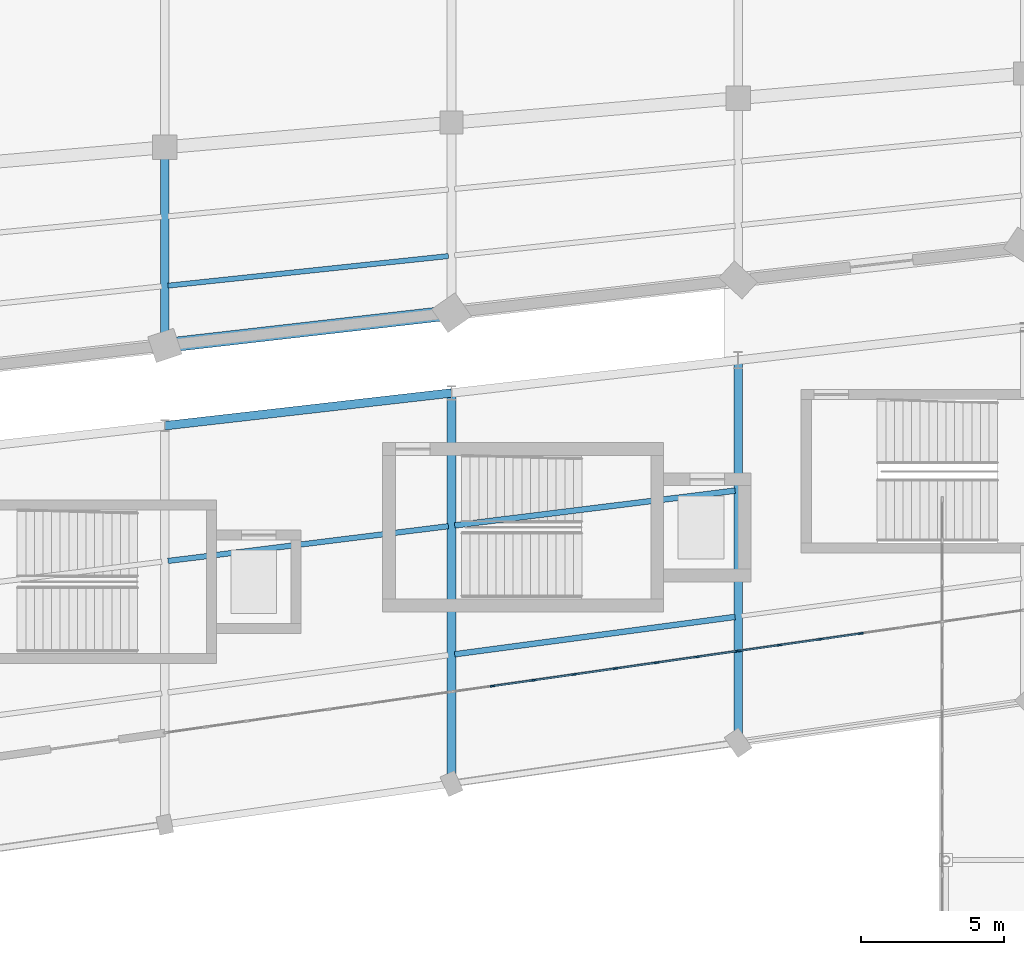
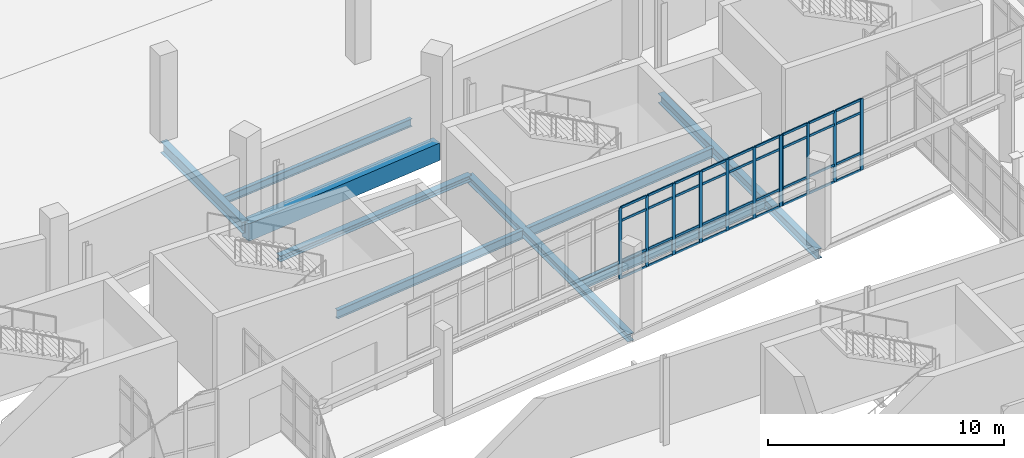
# One storey, part 44 of 122: 47 members, 9 beams, 2 elements without a shape of their own.
"""IFC4 building model written with IfcOpenShell, lengths in metres."""

import ifcopenshell
import ifcopenshell.guid

model = None  # the IFC model being written
_history = None  # IfcOwnerHistory: only IFC2X3 demands one
_inside = {}  # id of a spatial element -> (the spatial element, [elements in it])
_under = {}  # id of a project, library or spatial element -> (it, [spatial elements below it])
_declared = {}  # id of a project -> (the project, [libraries it declares])
_typed = {}  # id of a type object -> (the type object, [elements of that type])
_made_of = {}  # id of a material, layer set ... -> (it, [elements and type objects made of it])


def new_model(schema):
    """Start an empty IFC model of exactly this schema.

    Asked for "IFC4X3", IfcOpenShell would pick the latest addendum, in which some entities
    have other attributes; the version numbers below select the first issue.
    IFC2X3 requires an IfcOwnerHistory on every rooted entity: one is made here for all.
    """
    global model, _history
    if schema == "IFC4X3":
        model = ifcopenshell.file(schema_version=(4, 3, 0, 0))
    else:
        model = ifcopenshell.file(schema=schema)
    _inside.clear()
    _under.clear()
    _declared.clear()
    _typed.clear()
    _made_of.clear()
    _history = None
    if model.schema == "IFC2X3":
        org = make("IfcOrganization", Name="unknown")
        user = make(
            "IfcPersonAndOrganization",
            ThePerson=make("IfcPerson", FamilyName="unknown"),
            TheOrganization=org,
        )
        app = make(
            "IfcApplication",
            ApplicationDeveloper=org,
            Version="unknown",
            ApplicationFullName="unknown",
            ApplicationIdentifier="unknown",
        )
        _history = make(
            "IfcOwnerHistory",
            OwningUser=user,
            OwningApplication=app,
            ChangeAction="ADDED",
            CreationDate=0,
        )
    return model


def make(cls, **values):
    """One entity of the class cls with the attributes given. An attribute that is None is left unset."""
    return model.create_entity(
        cls, **{name: value for name, value in values.items() if value is not None}
    )


def rooted(cls, **values):
    """An entity with a GlobalId (a new one), such as an element, a storey or a relation."""
    return make(cls, GlobalId=ifcopenshell.guid.new(), OwnerHistory=_history, **values)


def si_unit(unit_type, name, prefix=None):
    """IfcSIUnit, for example si_unit("LENGTHUNIT", "METRE", prefix="MILLI")."""
    return make("IfcSIUnit", UnitType=unit_type, Prefix=prefix, Name=name)


def assignment(units):
    """IfcUnitAssignment: the units of a project."""
    return None if units is None else make("IfcUnitAssignment", Units=units)


def point(xyz):
    """IfcCartesianPoint."""
    return None if xyz is None else make("IfcCartesianPoint", Coordinates=xyz)


def direction(xyz):
    """IfcDirection."""
    return None if xyz is None else make("IfcDirection", DirectionRatios=xyz)


def frame(location, z_axis=None, x_axis=None):
    """IfcAxis2Placement3D, a coordinate frame: its origin and axes. An axis left out is left unset."""
    return make(
        "IfcAxis2Placement3D",
        Location=point(location),
        Axis=direction(z_axis),
        RefDirection=direction(x_axis),
    )


def frame_2d(location, x_axis=None):
    """IfcAxis2Placement2D, a coordinate frame in the plane: its origin and x axis."""
    return make(
        "IfcAxis2Placement2D", Location=point(location), RefDirection=direction(x_axis)
    )


def origin():
    """The frame at (0, 0, 0) with its axes left unset."""
    return frame((0.0, 0.0, 0.0))


def origin_2d():
    """The frame at (0, 0) in the plane with its x axis left unset."""
    return frame_2d((0.0, 0.0))


def place(relative_to, where):
    """IfcLocalPlacement: puts the frame where relative to a parent placement (None: the world)."""
    return make(
        "IfcLocalPlacement", PlacementRelTo=relative_to, RelativePlacement=where
    )


def context(
    kind, dimensions, precision=None, world=None, true_north=None, identifier=None
):
    """IfcGeometricRepresentationContext, for example the 3D "Model" context."""
    return make(
        "IfcGeometricRepresentationContext",
        ContextIdentifier=identifier,
        ContextType=kind,
        CoordinateSpaceDimension=dimensions,
        Precision=precision,
        WorldCoordinateSystem=world,
        TrueNorth=true_north,
    )


def subcontext(parent, identifier, kind, view, scale=None):
    """IfcGeometricRepresentationSubContext, for example "Body" below "Model"."""
    return make(
        "IfcGeometricRepresentationSubContext",
        ContextIdentifier=identifier,
        ContextType=kind,
        ParentContext=parent,
        TargetScale=scale,
        TargetView=view,
    )


def project(units=None, contexts=None):
    """IfcProject with its units and contexts."""
    return rooted(
        "IfcProject",
        Name="project",
        RepresentationContexts=contexts,
        UnitsInContext=assignment(units),
    )


def spatial(cls, under=None, at=None, **own):
    """A site, building, storey or space (cls), placed at a placement, below another one or the project."""
    s = rooted(cls, ObjectPlacement=at, **own)
    if under is not None:
        _under.setdefault(under.id(), (under, []))[1].append(s)
    return s


def profile(cls, at=None, kind="AREA", **sizes):
    """A parametric profile (cls). Its sizes go by their IFC names, for example OverallWidth=200.0."""
    return make(cls, ProfileType=kind, Position=at, **sizes)


def rectangle(**sizes):
    """IfcRectangleProfileDef."""
    return profile("IfcRectangleProfileDef", **sizes)


def i_section(**sizes):
    """IfcIShapeProfileDef."""
    return profile("IfcIShapeProfileDef", **sizes)


def extrude(swept, where, along, depth):
    """IfcExtrudedAreaSolid: the profile swept, set in the frame where, extruded along a direction by depth."""
    return make(
        "IfcExtrudedAreaSolid",
        SweptArea=swept,
        Position=where,
        ExtrudedDirection=direction(along),
        Depth=depth,
    )


def shape(context_of_items, identifier, shape_type, items):
    """IfcShapeRepresentation: the items that make up one representation, for example the "Body"."""
    return make(
        "IfcShapeRepresentation",
        ContextOfItems=context_of_items,
        RepresentationIdentifier=identifier,
        RepresentationType=shape_type,
        Items=items,
    )


def material(Name=None, Category=None):
    """IfcMaterial."""
    return make("IfcMaterial", Name=Name, Category=Category)


def layer(
    of_material, thickness, ventilated=None, Name=None, Category=None, Priority=None
):
    """IfcMaterialLayer: one layer of a wall or slab, of a material (None: an air gap)."""
    return make(
        "IfcMaterialLayer",
        Material=of_material,
        LayerThickness=thickness,
        IsVentilated=ventilated,
        Name=Name,
        Category=Category,
        Priority=Priority,
    )


def layer_set(layers, Name=None):
    """IfcMaterialLayerSet."""
    return make("IfcMaterialLayerSet", MaterialLayers=layers, LayerSetName=Name)


def material_profile(
    of_material, cross_section, Name=None, Category=None, Priority=None
):
    """IfcMaterialProfile: a cross section and its material."""
    return make(
        "IfcMaterialProfile",
        Name=Name,
        Material=of_material,
        Profile=cross_section,
        Priority=Priority,
        Category=Category,
    )


def profile_set(profiles, Name=None, composite=None):
    """IfcMaterialProfileSet."""
    return make(
        "IfcMaterialProfileSet",
        Name=Name,
        MaterialProfiles=profiles,
        CompositeProfile=composite,
    )


def made_of(thing, what):
    """Note that an element or type object is made of a material, layer set ...; save() writes the relation."""
    if what is not None:
        _made_of.setdefault(what.id(), (what, []))[1].append(thing)
    return thing


def type_object(cls, material=None, **own):
    """A type object (cls), such as IfcWallType, which elements share."""
    return made_of(rooted(cls, **own), material)


def element(
    cls,
    number,
    at=None,
    inside=None,
    cuts=None,
    type_object=None,
    material=None,
    context=None,
    identifier="Body",
    shape_type=None,
    held_by="IfcProductDefinitionShape",
    body=None,
    shapes=None,
    **own,
):
    """One element of the class cls, such as IfcWall. Its Tag is "e" and its number.

    at: its placement. inside: the storey or other place that contains it. cuts: it is an
    opening in that element (IfcRelVoidsElement). A single representation is given by context,
    identifier, shape_type and body (its items); several are given by shapes. held_by: the class
    of the entity that holds the representations. save() writes the other relations.
    """
    e = rooted(cls, Tag="e%d" % number, ObjectPlacement=at, **own)
    if body is not None:
        shapes = [shape(context, identifier, shape_type, body)]
    if shapes is not None:
        e.Representation = make(held_by, Representations=shapes)
    if inside is not None:
        _inside.setdefault(inside.id(), (inside, []))[1].append(e)
    if cuts is not None:
        rooted(
            "IfcRelVoidsElement", RelatingBuildingElement=cuts, RelatedOpeningElement=e
        )
    if type_object is not None:
        _typed.setdefault(type_object.id(), (type_object, []))[1].append(e)
    return made_of(e, material)


def aggregate(whole, parts):
    """IfcRelAggregates: a whole, such as a stair, and the parts it consists of."""
    return rooted("IfcRelAggregates", RelatingObject=whole, RelatedObjects=parts)


def save(model, path):
    """Write the relations noted so far, then the file.

    IfcRelAggregates (storeys below a building ...), IfcRelContainedInSpatialStructure (elements
    in a storey), IfcRelDefinesByType, IfcRelAssociatesMaterial and IfcRelDeclares: one each for
    every whole, place, type object, material and project.
    """
    for whole, parts in _under.values():
        aggregate(whole, parts)
    for where, things in _inside.values():
        rooted(
            "IfcRelContainedInSpatialStructure",
            RelatedElements=things,
            RelatingStructure=where,
        )
    for kind, things in _typed.values():
        rooted("IfcRelDefinesByType", RelatedObjects=things, RelatingType=kind)
    for what, things in _made_of.values():
        rooted("IfcRelAssociatesMaterial", RelatedObjects=things, RelatingMaterial=what)
    for by, libraries in _declared.values():
        rooted("IfcRelDeclares", RelatingContext=by, RelatedDefinitions=libraries)
    model.write(path)


model = new_model("IFC4")

# Units and contexts
model_context = context("Model", 3, precision=1e-05, world=origin(), true_north=direction((0.0, 1.0)))
body_context = subcontext(model_context, "Body", "Model", "MODEL_VIEW")
ifc_project = project(units=[si_unit("LENGTHUNIT", "METRE"), si_unit("AREAUNIT", "SQUARE_METRE"), si_unit("VOLUMEUNIT", "CUBIC_METRE"), si_unit("PLANEANGLEUNIT", "RADIAN"), si_unit("MASSUNIT", "GRAM", prefix="KILO")], contexts=[model_context])

# Site, building, storey
site_placement = place(None, origin())
site = spatial("IfcSite", under=ifc_project, at=site_placement, CompositionType="ELEMENT")
building_placement = place(site_placement, origin())
building = spatial("IfcBuilding", under=site, at=building_placement, Name="Sohan Crest Arena", CompositionType="ELEMENT")
storey_placement = place(building_placement, origin())
storey = spatial("IfcBuildingStorey", under=building, at=storey_placement, Name="L00", CompositionType="ELEMENT", Elevation=0.0)

# Curtain wall, members
ifc_material_1 = material(Name="Thermally broken anodised aluminium", Category="aluminium")
ifc_layer = layer(ifc_material_1, 0.179931640625, Name="Thermally broken anodised aluminium")
ifc_layer_set = layer_set([ifc_layer], Name="Thermally broken anodised aluminium")
curtain_wall_type = type_object("IfcCurtainWallType", Name="ARC-CW01", PredefinedType="NOTDEFINED", material=ifc_layer_set)
curtain_wall_1_placement = place(storey_placement, origin())
curtain_wall_1 = element("IfcCurtainWall", 1, at=curtain_wall_1_placement, inside=storey, type_object=curtain_wall_type, Name="Unitised curtain wall CW-009", PredefinedType="NOTDEFINED")
ifc_material_profile_1 = material_profile(ifc_material_1, rectangle(XDim=0.06005859375, YDim=0.159912109375, at=origin_2d()), Name="ALU-MULL 60x160")
ifc_profile_set_1 = profile_set([ifc_material_profile_1], Name="Thermally broken anodised aluminium")
member_type_1 = type_object("IfcMemberType", Name="ARC-CW-ML01", PredefinedType="MULLION", material=ifc_profile_set_1)
member_1_placement = place(storey_placement, frame((119.428466796875, 36.26123046875, 0.0), z_axis=(0.0, 0.0, 1.0), x_axis=(-0.141462933734, 0.989943553128, 0.0)))
member_1 = element("IfcMember", 2, at=member_1_placement, type_object=member_type_1, Name="CW-009 mullion 2", PredefinedType="MULLION", context=body_context, shape_type="SweptSolid", body=[
    extrude(rectangle(XDim=0.06005859375, YDim=0.159912109375, at=origin_2d()), origin(), (0.0, 0.0, 1.0), 3.679931640625),
])
member_2_placement = place(storey_placement, frame((120.857177734375, 36.46533203125, 0.0), z_axis=(0.0, 0.0, 1.0), x_axis=(-0.141462933734, 0.989943553128, 0.0)))
member_2 = element("IfcMember", 3, at=member_2_placement, type_object=member_type_1, Name="CW-009 mullion 3", PredefinedType="MULLION", context=body_context, shape_type="SweptSolid", body=[
    extrude(rectangle(XDim=0.06005859375, YDim=0.159912109375, at=origin_2d()), origin(), (0.0, 0.0, 1.0), 3.679931640625),
])
member_3_placement = place(storey_placement, frame((122.28564453125, 36.66943359375, 0.0), z_axis=(0.0, 0.0, 1.0), x_axis=(-0.141462933734, 0.989943553128, 0.0)))
member_3 = element("IfcMember", 4, at=member_3_placement, type_object=member_type_1, Name="CW-009 mullion 4", PredefinedType="MULLION", context=body_context, shape_type="SweptSolid", body=[
    extrude(rectangle(XDim=0.06005859375, YDim=0.159912109375, at=origin_2d()), origin(), (0.0, 0.0, 1.0), 3.679931640625),
])
member_4_placement = place(storey_placement, frame((123.71435546875, 36.87353515625, 0.0), z_axis=(0.0, 0.0, 1.0), x_axis=(-0.141462933734, 0.989943553128, 0.0)))
member_4 = element("IfcMember", 5, at=member_4_placement, type_object=member_type_1, Name="CW-009 mullion 5", PredefinedType="MULLION", context=body_context, shape_type="SweptSolid", body=[
    extrude(rectangle(XDim=0.06005859375, YDim=0.159912109375, at=origin_2d()), origin(), (0.0, 0.0, 1.0), 3.679931640625),
])
member_5_placement = place(storey_placement, frame((125.142822265625, 37.07763671875, 0.0), z_axis=(0.0, 0.0, 1.0), x_axis=(-0.141462933734, 0.989943553128, 0.0)))
member_5 = element("IfcMember", 6, at=member_5_placement, type_object=member_type_1, Name="CW-009 mullion 6", PredefinedType="MULLION", context=body_context, shape_type="SweptSolid", body=[
    extrude(rectangle(XDim=0.06005859375, YDim=0.159912109375, at=origin_2d()), origin(), (0.0, 0.0, 1.0), 3.679931640625),
])
member_6_placement = place(storey_placement, frame((126.571533203125, 37.28173828125, 0.0), z_axis=(0.0, 0.0, 1.0), x_axis=(-0.141462933734, 0.989943553128, 0.0)))
member_6 = element("IfcMember", 7, at=member_6_placement, type_object=member_type_1, Name="CW-009 mullion 7", PredefinedType="MULLION", context=body_context, shape_type="SweptSolid", body=[
    extrude(rectangle(XDim=0.06005859375, YDim=0.159912109375, at=origin_2d()), origin(), (0.0, 0.0, 1.0), 3.679931640625),
])
member_7_placement = place(storey_placement, frame((127.97021484375, 37.481689453125, 0.0), z_axis=(0.0, 0.0, 1.0), x_axis=(-0.141462933734, 0.989943553128, 0.0)))
member_7 = element("IfcMember", 8, at=member_7_placement, type_object=member_type_1, Name="CW-009 mullion 8", PredefinedType="MULLION", context=body_context, shape_type="SweptSolid", body=[
    extrude(rectangle(XDim=0.06005859375, YDim=0.159912109375, at=origin_2d()), origin(), (0.0, 0.0, 1.0), 3.679931640625),
])

curtain_wall_2_placement = place(storey_placement, origin())
curtain_wall_2 = element("IfcCurtainWall", 9, at=curtain_wall_2_placement, inside=storey, type_object=curtain_wall_type, Name="Unitised curtain wall CW-010", PredefinedType="NOTDEFINED")
member_8_placement = place(storey_placement, frame((128.02978515625, 37.490234375, 0.0), z_axis=(0.0, 0.0, 1.0), x_axis=(-0.141365918403, 0.989957411768, 0.0)))
member_8 = element("IfcMember", 10, at=member_8_placement, type_object=member_type_1, Name="CW-010 mullion 1", PredefinedType="MULLION", context=body_context, shape_type="SweptSolid", body=[
    extrude(rectangle(XDim=0.06005859375, YDim=0.159912109375, at=origin_2d()), origin(), (0.0, 0.0, 1.0), 3.679931640625),
])
member_9_placement = place(storey_placement, frame((129.428466796875, 37.68994140625, 0.0), z_axis=(0.0, 0.0, 1.0), x_axis=(-0.141365918403, 0.989957411768, 0.0)))
member_9 = element("IfcMember", 11, at=member_9_placement, type_object=member_type_1, Name="CW-010 mullion 2", PredefinedType="MULLION", context=body_context, shape_type="SweptSolid", body=[
    extrude(rectangle(XDim=0.06005859375, YDim=0.159912109375, at=origin_2d()), origin(), (0.0, 0.0, 1.0), 3.679931640625),
])
member_10_placement = place(storey_placement, frame((130.857177734375, 37.89404296875, 0.0), z_axis=(0.0, 0.0, 1.0), x_axis=(-0.141365918403, 0.989957411768, 0.0)))
member_10 = element("IfcMember", 12, at=member_10_placement, type_object=member_type_1, Name="CW-010 mullion 3", PredefinedType="MULLION", context=body_context, shape_type="SweptSolid", body=[
    extrude(rectangle(XDim=0.06005859375, YDim=0.159912109375, at=origin_2d()), origin(), (0.0, 0.0, 1.0), 3.679931640625),
])
member_11_placement = place(storey_placement, frame((132.28564453125, 38.097900390625, 0.0), z_axis=(0.0, 0.0, 1.0), x_axis=(-0.141365918403, 0.989957411768, 0.0)))
member_11 = element("IfcMember", 13, at=member_11_placement, type_object=member_type_1, Name="CW-010 mullion 4", PredefinedType="MULLION", context=body_context, shape_type="SweptSolid", body=[
    extrude(rectangle(XDim=0.06005859375, YDim=0.159912109375, at=origin_2d()), origin(), (0.0, 0.0, 1.0), 3.679931640625),
])

# Member
ifc_material_profile_2 = material_profile(ifc_material_1, rectangle(XDim=0.06005859375, YDim=0.1201171875, at=origin_2d()), Name="ALU-TRAN 60x120")
ifc_profile_set_2 = profile_set([ifc_material_profile_2], Name="Thermally broken anodised aluminium")
member_type_2 = type_object("IfcMemberType", Name="ARC-CW-TR01", PredefinedType="USERDEFINED", material=ifc_profile_set_2)
member_12_placement = place(storey_placement, frame((119.458251953125, 36.265380859375, 0.030029296875), z_axis=(0.989953023856, 0.141396642673, 0.0), x_axis=(-0.141396642673, 0.989953023856, 0.0)))
member_12 = element("IfcMember", 14, at=member_12_placement, type_object=member_type_2, Name="CW-009 transom 2.1", ObjectType="TRANSOM", PredefinedType="USERDEFINED", context=body_context, shape_type="SweptSolid", body=[
    extrude(rectangle(XDim=0.06005859375, YDim=0.1201171875, at=origin_2d()), origin(), (0.0, 0.0, 1.0), 1.383056640625),
])

member_13_placement = place(storey_placement, frame((119.458251953125, 36.265380859375, 0.89990234375), z_axis=(0.989953023856, 0.141396642673, 0.0), x_axis=(-0.141396642673, 0.989953023856, 0.0)))
member_13 = element("IfcMember", 15, at=member_13_placement, type_object=member_type_2, Name="CW-009 transom 2.2", ObjectType="TRANSOM", PredefinedType="USERDEFINED", context=body_context, shape_type="SweptSolid", body=[
    extrude(rectangle(XDim=0.06005859375, YDim=0.1201171875, at=origin_2d()), origin(), (0.0, 0.0, 1.0), 1.383056640625),
])

member_14_placement = place(storey_placement, frame((119.458251953125, 36.265380859375, 2.97998046875), z_axis=(0.989953023856, 0.141396642673, 0.0), x_axis=(-0.141396642673, 0.989953023856, 0.0)))
member_14 = element("IfcMember", 16, at=member_14_placement, type_object=member_type_2, Name="CW-009 transom 2.3", ObjectType="TRANSOM", PredefinedType="USERDEFINED", context=body_context, shape_type="SweptSolid", body=[
    extrude(rectangle(XDim=0.06005859375, YDim=0.1201171875, at=origin_2d()), origin(), (0.0, 0.0, 1.0), 1.383056640625),
])

member_15_placement = place(storey_placement, frame((119.458251953125, 36.265380859375, 3.64990234375), z_axis=(0.989953023856, 0.141396642673, 0.0), x_axis=(-0.141396642673, 0.989953023856, 0.0)))
member_15 = element("IfcMember", 17, at=member_15_placement, type_object=member_type_2, Name="CW-009 transom 2.4", ObjectType="TRANSOM", PredefinedType="USERDEFINED", context=body_context, shape_type="SweptSolid", body=[
    extrude(rectangle(XDim=0.06005859375, YDim=0.1201171875, at=origin_2d()), origin(), (0.0, 0.0, 1.0), 1.383056640625),
])

member_16_placement = place(storey_placement, frame((120.886962890625, 36.469482421875, 0.030029296875), z_axis=(0.989928300068, 0.141569632071, 0.0), x_axis=(-0.141569632071, 0.989928300068, 0.0)))
member_16 = element("IfcMember", 18, at=member_16_placement, type_object=member_type_2, Name="CW-009 transom 3.1", ObjectType="TRANSOM", PredefinedType="USERDEFINED", context=body_context, shape_type="SweptSolid", body=[
    extrude(rectangle(XDim=0.06005859375, YDim=0.1201171875, at=origin_2d()), origin(), (0.0, 0.0, 1.0), 1.383056640625),
])

member_17_placement = place(storey_placement, frame((120.886962890625, 36.469482421875, 0.89990234375), z_axis=(0.989928300068, 0.141569632071, 0.0), x_axis=(-0.141569632071, 0.989928300068, 0.0)))
member_17 = element("IfcMember", 19, at=member_17_placement, type_object=member_type_2, Name="CW-009 transom 3.2", ObjectType="TRANSOM", PredefinedType="USERDEFINED", context=body_context, shape_type="SweptSolid", body=[
    extrude(rectangle(XDim=0.06005859375, YDim=0.1201171875, at=origin_2d()), origin(), (0.0, 0.0, 1.0), 1.383056640625),
])

member_18_placement = place(storey_placement, frame((120.886962890625, 36.469482421875, 2.97998046875), z_axis=(0.989928300068, 0.141569632071, 0.0), x_axis=(-0.141569632071, 0.989928300068, 0.0)))
member_18 = element("IfcMember", 20, at=member_18_placement, type_object=member_type_2, Name="CW-009 transom 3.3", ObjectType="TRANSOM", PredefinedType="USERDEFINED", context=body_context, shape_type="SweptSolid", body=[
    extrude(rectangle(XDim=0.06005859375, YDim=0.1201171875, at=origin_2d()), origin(), (0.0, 0.0, 1.0), 1.383056640625),
])

member_19_placement = place(storey_placement, frame((120.886962890625, 36.469482421875, 3.64990234375), z_axis=(0.989928300068, 0.141569632071, 0.0), x_axis=(-0.141569632071, 0.989928300068, 0.0)))
member_19 = element("IfcMember", 21, at=member_19_placement, type_object=member_type_2, Name="CW-009 transom 3.4", ObjectType="TRANSOM", PredefinedType="USERDEFINED", context=body_context, shape_type="SweptSolid", body=[
    extrude(rectangle(XDim=0.06005859375, YDim=0.1201171875, at=origin_2d()), origin(), (0.0, 0.0, 1.0), 1.383056640625),
])

member_20_placement = place(storey_placement, frame((122.3154296875, 36.673583984375, 0.030029296875), z_axis=(0.989928300068, 0.141569632071, 0.0), x_axis=(-0.141569632071, 0.989928300068, 0.0)))
member_20 = element("IfcMember", 22, at=member_20_placement, type_object=member_type_2, Name="CW-009 transom 4.1", ObjectType="TRANSOM", PredefinedType="USERDEFINED", context=body_context, shape_type="SweptSolid", body=[
    extrude(rectangle(XDim=0.06005859375, YDim=0.1201171875, at=origin_2d()), origin(), (0.0, 0.0, 1.0), 1.383056640625),
])

member_21_placement = place(storey_placement, frame((122.3154296875, 36.673583984375, 0.89990234375), z_axis=(0.989928300068, 0.141569632071, 0.0), x_axis=(-0.141569632071, 0.989928300068, 0.0)))
member_21 = element("IfcMember", 23, at=member_21_placement, type_object=member_type_2, Name="CW-009 transom 4.2", ObjectType="TRANSOM", PredefinedType="USERDEFINED", context=body_context, shape_type="SweptSolid", body=[
    extrude(rectangle(XDim=0.06005859375, YDim=0.1201171875, at=origin_2d()), origin(), (0.0, 0.0, 1.0), 1.383056640625),
])

member_22_placement = place(storey_placement, frame((122.3154296875, 36.673583984375, 2.97998046875), z_axis=(0.989928300068, 0.141569632071, 0.0), x_axis=(-0.141569632071, 0.989928300068, 0.0)))
member_22 = element("IfcMember", 24, at=member_22_placement, type_object=member_type_2, Name="CW-009 transom 4.3", ObjectType="TRANSOM", PredefinedType="USERDEFINED", context=body_context, shape_type="SweptSolid", body=[
    extrude(rectangle(XDim=0.06005859375, YDim=0.1201171875, at=origin_2d()), origin(), (0.0, 0.0, 1.0), 1.383056640625),
])

member_23_placement = place(storey_placement, frame((122.3154296875, 36.673583984375, 3.64990234375), z_axis=(0.989928300068, 0.141569632071, 0.0), x_axis=(-0.141569632071, 0.989928300068, 0.0)))
member_23 = element("IfcMember", 25, at=member_23_placement, type_object=member_type_2, Name="CW-009 transom 4.4", ObjectType="TRANSOM", PredefinedType="USERDEFINED", context=body_context, shape_type="SweptSolid", body=[
    extrude(rectangle(XDim=0.06005859375, YDim=0.1201171875, at=origin_2d()), origin(), (0.0, 0.0, 1.0), 1.383056640625),
])

member_24_placement = place(storey_placement, frame((123.743896484375, 36.8779296875, 0.030029296875), z_axis=(0.989953023856, 0.141396642673, 0.0), x_axis=(-0.141396642673, 0.989953023856, 0.0)))
member_24 = element("IfcMember", 26, at=member_24_placement, type_object=member_type_2, Name="CW-009 transom 5.1", ObjectType="TRANSOM", PredefinedType="USERDEFINED", context=body_context, shape_type="SweptSolid", body=[
    extrude(rectangle(XDim=0.06005859375, YDim=0.1201171875, at=origin_2d()), origin(), (0.0, 0.0, 1.0), 1.383056640625),
])

member_25_placement = place(storey_placement, frame((123.743896484375, 36.8779296875, 0.89990234375), z_axis=(0.989953023856, 0.141396642673, 0.0), x_axis=(-0.141396642673, 0.989953023856, 0.0)))
member_25 = element("IfcMember", 27, at=member_25_placement, type_object=member_type_2, Name="CW-009 transom 5.2", ObjectType="TRANSOM", PredefinedType="USERDEFINED", context=body_context, shape_type="SweptSolid", body=[
    extrude(rectangle(XDim=0.06005859375, YDim=0.1201171875, at=origin_2d()), origin(), (0.0, 0.0, 1.0), 1.383056640625),
])

member_26_placement = place(storey_placement, frame((123.743896484375, 36.8779296875, 2.97998046875), z_axis=(0.989953023856, 0.141396642673, 0.0), x_axis=(-0.141396642673, 0.989953023856, 0.0)))
member_26 = element("IfcMember", 28, at=member_26_placement, type_object=member_type_2, Name="CW-009 transom 5.3", ObjectType="TRANSOM", PredefinedType="USERDEFINED", context=body_context, shape_type="SweptSolid", body=[
    extrude(rectangle(XDim=0.06005859375, YDim=0.1201171875, at=origin_2d()), origin(), (0.0, 0.0, 1.0), 1.383056640625),
])

member_27_placement = place(storey_placement, frame((123.743896484375, 36.8779296875, 3.64990234375), z_axis=(0.989953023856, 0.141396642673, 0.0), x_axis=(-0.141396642673, 0.989953023856, 0.0)))
member_27 = element("IfcMember", 29, at=member_27_placement, type_object=member_type_2, Name="CW-009 transom 5.4", ObjectType="TRANSOM", PredefinedType="USERDEFINED", context=body_context, shape_type="SweptSolid", body=[
    extrude(rectangle(XDim=0.06005859375, YDim=0.1201171875, at=origin_2d()), origin(), (0.0, 0.0, 1.0), 1.383056640625),
])

member_28_placement = place(storey_placement, frame((125.172607421875, 37.08203125, 0.030029296875), z_axis=(0.989953023856, 0.141396642673, 0.0), x_axis=(-0.141396642673, 0.989953023856, 0.0)))
member_28 = element("IfcMember", 30, at=member_28_placement, type_object=member_type_2, Name="CW-009 transom 6.1", ObjectType="TRANSOM", PredefinedType="USERDEFINED", context=body_context, shape_type="SweptSolid", body=[
    extrude(rectangle(XDim=0.06005859375, YDim=0.1201171875, at=origin_2d()), origin(), (0.0, 0.0, 1.0), 1.383056640625),
])

member_29_placement = place(storey_placement, frame((125.172607421875, 37.08203125, 0.89990234375), z_axis=(0.989953023856, 0.141396642673, 0.0), x_axis=(-0.141396642673, 0.989953023856, 0.0)))
member_29 = element("IfcMember", 31, at=member_29_placement, type_object=member_type_2, Name="CW-009 transom 6.2", ObjectType="TRANSOM", PredefinedType="USERDEFINED", context=body_context, shape_type="SweptSolid", body=[
    extrude(rectangle(XDim=0.06005859375, YDim=0.1201171875, at=origin_2d()), origin(), (0.0, 0.0, 1.0), 1.383056640625),
])

member_30_placement = place(storey_placement, frame((125.172607421875, 37.08203125, 2.97998046875), z_axis=(0.989953023856, 0.141396642673, 0.0), x_axis=(-0.141396642673, 0.989953023856, 0.0)))
member_30 = element("IfcMember", 32, at=member_30_placement, type_object=member_type_2, Name="CW-009 transom 6.3", ObjectType="TRANSOM", PredefinedType="USERDEFINED", context=body_context, shape_type="SweptSolid", body=[
    extrude(rectangle(XDim=0.06005859375, YDim=0.1201171875, at=origin_2d()), origin(), (0.0, 0.0, 1.0), 1.383056640625),
])

member_31_placement = place(storey_placement, frame((125.172607421875, 37.08203125, 3.64990234375), z_axis=(0.989953023856, 0.141396642673, 0.0), x_axis=(-0.141396642673, 0.989953023856, 0.0)))
member_31 = element("IfcMember", 33, at=member_31_placement, type_object=member_type_2, Name="CW-009 transom 6.4", ObjectType="TRANSOM", PredefinedType="USERDEFINED", context=body_context, shape_type="SweptSolid", body=[
    extrude(rectangle(XDim=0.06005859375, YDim=0.1201171875, at=origin_2d()), origin(), (0.0, 0.0, 1.0), 1.383056640625),
])

member_32_placement = place(storey_placement, frame((126.60107421875, 37.2861328125, 0.030029296875), z_axis=(0.989945885007, 0.141446614515, 0.0), x_axis=(-0.141446614515, 0.989945885007, 0.0)))
member_32 = element("IfcMember", 34, at=member_32_placement, type_object=member_type_2, Name="CW-009 transom 7.1", ObjectType="TRANSOM", PredefinedType="USERDEFINED", context=body_context, shape_type="SweptSolid", body=[
    extrude(rectangle(XDim=0.06005859375, YDim=0.1201171875, at=origin_2d()), origin(), (0.0, 0.0, 1.0), 1.353271484375),
])

member_33_placement = place(storey_placement, frame((126.60107421875, 37.2861328125, 0.89990234375), z_axis=(0.989945885007, 0.141446614515, 0.0), x_axis=(-0.141446614515, 0.989945885007, 0.0)))
member_33 = element("IfcMember", 35, at=member_33_placement, type_object=member_type_2, Name="CW-009 transom 7.2", ObjectType="TRANSOM", PredefinedType="USERDEFINED", context=body_context, shape_type="SweptSolid", body=[
    extrude(rectangle(XDim=0.06005859375, YDim=0.1201171875, at=origin_2d()), origin(), (0.0, 0.0, 1.0), 1.353271484375),
])

member_34_placement = place(storey_placement, frame((126.60107421875, 37.2861328125, 2.97998046875), z_axis=(0.989945885007, 0.141446614515, 0.0), x_axis=(-0.141446614515, 0.989945885007, 0.0)))
member_34 = element("IfcMember", 36, at=member_34_placement, type_object=member_type_2, Name="CW-009 transom 7.3", ObjectType="TRANSOM", PredefinedType="USERDEFINED", context=body_context, shape_type="SweptSolid", body=[
    extrude(rectangle(XDim=0.06005859375, YDim=0.1201171875, at=origin_2d()), origin(), (0.0, 0.0, 1.0), 1.353271484375),
])

member_35_placement = place(storey_placement, frame((126.60107421875, 37.2861328125, 3.64990234375), z_axis=(0.989945885007, 0.141446614515, 0.0), x_axis=(-0.141446614515, 0.989945885007, 0.0)))
member_35 = element("IfcMember", 37, at=member_35_placement, type_object=member_type_2, Name="CW-009 transom 7.4", ObjectType="TRANSOM", PredefinedType="USERDEFINED", context=body_context, shape_type="SweptSolid", body=[
    extrude(rectangle(XDim=0.06005859375, YDim=0.1201171875, at=origin_2d()), origin(), (0.0, 0.0, 1.0), 1.353271484375),
])

aggregate(curtain_wall_1, [member_1, member_2, member_3, member_4, member_5, member_6, member_7, member_12, member_13, member_14, member_15, member_16, member_17, member_18, member_19, member_20, member_21, member_22, member_23, member_24, member_25, member_26, member_27, member_28, member_29, member_30, member_31, member_32, member_33, member_34, member_35])

member_36_placement = place(storey_placement, frame((128.059326171875, 37.494384765625, 0.030029296875), z_axis=(0.989945885007, 0.141446614515, 0.0), x_axis=(-0.141446614515, 0.989945885007, 0.0)))
member_36 = element("IfcMember", 38, at=member_36_placement, type_object=member_type_2, Name="CW-010 transom 1.1", ObjectType="TRANSOM", PredefinedType="USERDEFINED", context=body_context, shape_type="SweptSolid", body=[
    extrude(rectangle(XDim=0.06005859375, YDim=0.1201171875, at=origin_2d()), origin(), (0.0, 0.0, 1.0), 1.353271484375),
])

member_37_placement = place(storey_placement, frame((128.059326171875, 37.494384765625, 0.89990234375), z_axis=(0.989945885007, 0.141446614515, 0.0), x_axis=(-0.141446614515, 0.989945885007, 0.0)))
member_37 = element("IfcMember", 39, at=member_37_placement, type_object=member_type_2, Name="CW-010 transom 1.2", ObjectType="TRANSOM", PredefinedType="USERDEFINED", context=body_context, shape_type="SweptSolid", body=[
    extrude(rectangle(XDim=0.06005859375, YDim=0.1201171875, at=origin_2d()), origin(), (0.0, 0.0, 1.0), 1.353271484375),
])

member_38_placement = place(storey_placement, frame((128.059326171875, 37.494384765625, 2.97998046875), z_axis=(0.989945885007, 0.141446614515, 0.0), x_axis=(-0.141446614515, 0.989945885007, 0.0)))
member_38 = element("IfcMember", 40, at=member_38_placement, type_object=member_type_2, Name="CW-010 transom 1.3", ObjectType="TRANSOM", PredefinedType="USERDEFINED", context=body_context, shape_type="SweptSolid", body=[
    extrude(rectangle(XDim=0.06005859375, YDim=0.1201171875, at=origin_2d()), origin(), (0.0, 0.0, 1.0), 1.353271484375),
])

member_39_placement = place(storey_placement, frame((128.059326171875, 37.494384765625, 3.64990234375), z_axis=(0.989945885007, 0.141446614515, 0.0), x_axis=(-0.141446614515, 0.989945885007, 0.0)))
member_39 = element("IfcMember", 41, at=member_39_placement, type_object=member_type_2, Name="CW-010 transom 1.4", ObjectType="TRANSOM", PredefinedType="USERDEFINED", context=body_context, shape_type="SweptSolid", body=[
    extrude(rectangle(XDim=0.06005859375, YDim=0.1201171875, at=origin_2d()), origin(), (0.0, 0.0, 1.0), 1.353271484375),
])

member_40_placement = place(storey_placement, frame((129.458251953125, 37.6943359375, 0.030029296875), z_axis=(0.989977718646, 0.14122364032, 0.0), x_axis=(-0.14122364032, 0.989977718646, 0.0)))
member_40 = element("IfcMember", 42, at=member_40_placement, type_object=member_type_2, Name="CW-010 transom 2.1", ObjectType="TRANSOM", PredefinedType="USERDEFINED", context=body_context, shape_type="SweptSolid", body=[
    extrude(rectangle(XDim=0.06005859375, YDim=0.1201171875, at=origin_2d()), origin(), (0.0, 0.0, 1.0), 1.383056640625),
])

member_41_placement = place(storey_placement, frame((129.458251953125, 37.6943359375, 0.89990234375), z_axis=(0.989977718646, 0.14122364032, 0.0), x_axis=(-0.14122364032, 0.989977718646, 0.0)))
member_41 = element("IfcMember", 43, at=member_41_placement, type_object=member_type_2, Name="CW-010 transom 2.2", ObjectType="TRANSOM", PredefinedType="USERDEFINED", context=body_context, shape_type="SweptSolid", body=[
    extrude(rectangle(XDim=0.06005859375, YDim=0.1201171875, at=origin_2d()), origin(), (0.0, 0.0, 1.0), 1.383056640625),
])

member_42_placement = place(storey_placement, frame((129.458251953125, 37.6943359375, 2.97998046875), z_axis=(0.989977718646, 0.14122364032, 0.0), x_axis=(-0.14122364032, 0.989977718646, 0.0)))
member_42 = element("IfcMember", 44, at=member_42_placement, type_object=member_type_2, Name="CW-010 transom 2.3", ObjectType="TRANSOM", PredefinedType="USERDEFINED", context=body_context, shape_type="SweptSolid", body=[
    extrude(rectangle(XDim=0.06005859375, YDim=0.1201171875, at=origin_2d()), origin(), (0.0, 0.0, 1.0), 1.383056640625),
])

member_43_placement = place(storey_placement, frame((129.458251953125, 37.6943359375, 3.64990234375), z_axis=(0.989977718646, 0.14122364032, 0.0), x_axis=(-0.14122364032, 0.989977718646, 0.0)))
member_43 = element("IfcMember", 45, at=member_43_placement, type_object=member_type_2, Name="CW-010 transom 2.4", ObjectType="TRANSOM", PredefinedType="USERDEFINED", context=body_context, shape_type="SweptSolid", body=[
    extrude(rectangle(XDim=0.06005859375, YDim=0.1201171875, at=origin_2d()), origin(), (0.0, 0.0, 1.0), 1.383056640625),
])

member_44_placement = place(storey_placement, frame((130.886962890625, 37.898193359375, 0.030029296875), z_axis=(0.989953023856, 0.141396642673, 0.0), x_axis=(-0.141396642673, 0.989953023856, 0.0)))
member_44 = element("IfcMember", 46, at=member_44_placement, type_object=member_type_2, Name="CW-010 transom 3.1", ObjectType="TRANSOM", PredefinedType="USERDEFINED", context=body_context, shape_type="SweptSolid", body=[
    extrude(rectangle(XDim=0.06005859375, YDim=0.1201171875, at=origin_2d()), origin(), (0.0, 0.0, 1.0), 1.383056640625),
])

member_45_placement = place(storey_placement, frame((130.886962890625, 37.898193359375, 0.89990234375), z_axis=(0.989953023856, 0.141396642673, 0.0), x_axis=(-0.141396642673, 0.989953023856, 0.0)))
member_45 = element("IfcMember", 47, at=member_45_placement, type_object=member_type_2, Name="CW-010 transom 3.2", ObjectType="TRANSOM", PredefinedType="USERDEFINED", context=body_context, shape_type="SweptSolid", body=[
    extrude(rectangle(XDim=0.06005859375, YDim=0.1201171875, at=origin_2d()), origin(), (0.0, 0.0, 1.0), 1.383056640625),
])

member_46_placement = place(storey_placement, frame((130.886962890625, 37.898193359375, 2.97998046875), z_axis=(0.989953023856, 0.141396642673, 0.0), x_axis=(-0.141396642673, 0.989953023856, 0.0)))
member_46 = element("IfcMember", 48, at=member_46_placement, type_object=member_type_2, Name="CW-010 transom 3.3", ObjectType="TRANSOM", PredefinedType="USERDEFINED", context=body_context, shape_type="SweptSolid", body=[
    extrude(rectangle(XDim=0.06005859375, YDim=0.1201171875, at=origin_2d()), origin(), (0.0, 0.0, 1.0), 1.383056640625),
])

member_47_placement = place(storey_placement, frame((130.886962890625, 37.898193359375, 3.64990234375), z_axis=(0.989953023856, 0.141396642673, 0.0), x_axis=(-0.141396642673, 0.989953023856, 0.0)))
member_47 = element("IfcMember", 49, at=member_47_placement, type_object=member_type_2, Name="CW-010 transom 3.4", ObjectType="TRANSOM", PredefinedType="USERDEFINED", context=body_context, shape_type="SweptSolid", body=[
    extrude(rectangle(XDim=0.06005859375, YDim=0.1201171875, at=origin_2d()), origin(), (0.0, 0.0, 1.0), 1.383056640625),
])

aggregate(curtain_wall_2, [member_8, member_9, member_10, member_11, member_36, member_37, member_38, member_39, member_40, member_41, member_42, member_43, member_44, member_45, member_46, member_47])

# Beams
ifc_material_2 = material(Name="Steel S355", Category="steel")
ifc_material_profile_3 = material_profile(ifc_material_2, i_section(OverallWidth=0.179931640625, OverallDepth=0.39990234375, WebThickness=0.008544921875, FlangeThickness=0.013427734375, at=origin_2d()), Name="IPE 400")
ifc_profile_set_3 = profile_set([ifc_material_profile_3], Name="Steel S355")
beam_type_1 = type_object("IfcBeamType", Name="STR-BM-B03", PredefinedType="JOIST", material=ifc_profile_set_3)
beam_1_placement = place(storey_placement, frame((108.10888671875, 50.22900390625, -0.449951171875), z_axis=(0.994470991784, 0.105011649352, 0.0), x_axis=(-0.105011649352, 0.994470991784, 0.0)))
element("IfcBeam", 50, at=beam_1_placement, inside=storey, type_object=beam_type_1, Name="Structural beam J-L00-0349", PredefinedType="JOIST", context=body_context, shape_type="SweptSolid", body=[
    extrude(i_section(OverallWidth=0.179931640625, OverallDepth=0.39990234375, WebThickness=0.008544921875, FlangeThickness=0.013427734375, at=origin_2d()), origin(), (0.0, 0.0, 1.0), 9.836669921875),
])
ifc_material_profile_4 = material_profile(ifc_material_2, i_section(OverallWidth=0.18994140625, OverallDepth=0.449951171875, WebThickness=0.009521484375, FlangeThickness=0.0146484375, at=origin_2d()), Name="IPE 450")
ifc_profile_set_4 = profile_set([ifc_material_profile_4], Name="Steel S355")
beam_type_2 = type_object("IfcBeamType", Name="STR-BM-B04", PredefinedType="JOIST", material=ifc_profile_set_4)
beam_2_placement = place(storey_placement, frame((108.10888671875, 40.6259765625, -0.5), z_axis=(0.992412936892, 0.122949431435, 0.0), x_axis=(-0.122949431435, 0.992412936892, 0.0)))
element("IfcBeam", 51, at=beam_2_placement, inside=storey, type_object=beam_type_2, Name="Structural beam J-L00-0971", PredefinedType="JOIST", context=body_context, shape_type="SweptSolid", body=[
    extrude(i_section(OverallWidth=0.18994140625, OverallDepth=0.449951171875, WebThickness=0.009521484375, FlangeThickness=0.0146484375, at=origin_2d()), origin(), (0.0, 0.0, 1.0), 9.85693359375),
])
ifc_material_profile_5 = material_profile(ifc_material_2, i_section(OverallWidth=0.199951171875, OverallDepth=0.5, WebThickness=0.01025390625, FlangeThickness=0.01611328125, at=origin_2d()), Name="IPE 500")
ifc_profile_set_5 = profile_set([ifc_material_profile_5], Name="Steel S355")
beam_type_3 = type_object("IfcBeamType", Name="STR-BM-B05", PredefinedType="JOIST", material=ifc_profile_set_5)
beam_3_placement = place(storey_placement, frame((118.10888671875, 41.865966796875, -0.52490234375), z_axis=(0.992412936892, 0.122949431435, 0.0), x_axis=(-0.122949431435, 0.992412936892, 0.0)))
element("IfcBeam", 52, at=beam_3_placement, inside=storey, type_object=beam_type_3, Name="Structural beam J-L00-0977", PredefinedType="JOIST", context=body_context, shape_type="SweptSolid", body=[
    extrude(i_section(OverallWidth=0.199951171875, OverallDepth=0.5, WebThickness=0.01025390625, FlangeThickness=0.01611328125, at=origin_2d()), origin(), (0.0, 0.0, 1.0), 9.85693359375),
])
beam_4_placement = place(storey_placement, frame((118.10888671875, 37.3701171875, -0.52490234375), z_axis=(0.991232437337, 0.132129690721, 0.0), x_axis=(-0.132129690721, 0.991232437337, 0.0)))
element("IfcBeam", 53, at=beam_4_placement, inside=storey, type_object=beam_type_3, Name="Structural beam J-L00-0978", PredefinedType="JOIST", context=body_context, shape_type="SweptSolid", body=[
    extrude(i_section(OverallWidth=0.199951171875, OverallDepth=0.5, WebThickness=0.01025390625, FlangeThickness=0.01611328125, at=origin_2d()), origin(), (0.0, 0.0, 1.0), 9.86865234375),
])
ifc_material_profile_6 = material_profile(ifc_material_2, i_section(OverallWidth=0.300048828125, OverallDepth=0.590087890625, WebThickness=0.012939453125, FlangeThickness=0.02490234375, at=origin_2d()), Name="HEA 600")
ifc_profile_set_6 = profile_set([ifc_material_profile_6], Name="Steel S355")
beam_type_4 = type_object("IfcBeamType", Name="STR-BM-B11", PredefinedType="BEAM", material=ifc_profile_set_6)
beam_5_placement = place(storey_placement, frame((108.0, 55.056884765625, -0.544921875), z_axis=(0.0, -1.0, 0.0), x_axis=(1.0, 0.0, 0.0)))
element("IfcBeam", 54, at=beam_5_placement, inside=storey, type_object=beam_type_4, Name="Structural beam G-L00-0347", PredefinedType="BEAM", context=body_context, shape_type="SweptSolid", body=[
    extrude(i_section(OverallWidth=0.300048828125, OverallDepth=0.590087890625, WebThickness=0.012939453125, FlangeThickness=0.02490234375, at=origin_2d()), origin(), (0.0, 0.0, 1.0), 6.913818359375),
])
ifc_material_profile_7 = material_profile(ifc_material_2, i_section(OverallWidth=0.300048828125, OverallDepth=0.300048828125, WebThickness=0.010986328125, FlangeThickness=0.01904296875, at=origin_2d()), Name="HEB 300")
ifc_profile_set_7 = profile_set([ifc_material_profile_7], Name="Steel S355")
beam_type_5 = type_object("IfcBeamType", Name="STR-BM-B12", PredefinedType="BEAM", material=ifc_profile_set_7)
beam_6_placement = place(storey_placement, frame((108.0, 45.343017578125, -0.425048828125), z_axis=(0.99353032697, 0.113567114035, 0.0), x_axis=(-0.113567114035, 0.99353032697, 0.0)))
element("IfcBeam", 55, at=beam_6_placement, inside=storey, type_object=beam_type_5, Name="Structural beam G-L00-0968", PredefinedType="BEAM", context=body_context, shape_type="SweptSolid", body=[
    extrude(i_section(OverallWidth=0.300048828125, OverallDepth=0.300048828125, WebThickness=0.010986328125, FlangeThickness=0.01904296875, at=origin_2d()), origin(), (0.0, 0.0, 1.0), 10.065185546875),
])
ifc_material_profile_8 = material_profile(ifc_material_2, i_section(OverallWidth=0.300048828125, OverallDepth=0.39990234375, WebThickness=0.013427734375, FlangeThickness=0.02392578125, at=origin_2d()), Name="HEB 400")
ifc_profile_set_8 = profile_set([ifc_material_profile_8], Name="Steel S355")
beam_type_6 = type_object("IfcBeamType", Name="STR-BM-B13", PredefinedType="BEAM", material=ifc_profile_set_8)
beam_7_placement = place(storey_placement, frame((118.0, 46.486083984375, -0.47509765625), z_axis=(0.0, -1.0, 0.0), x_axis=(1.0, 0.0, 0.0)))
element("IfcBeam", 56, at=beam_7_placement, inside=storey, type_object=beam_type_6, Name="Structural beam G-L00-0973", PredefinedType="BEAM", context=body_context, shape_type="SweptSolid", body=[
    extrude(i_section(OverallWidth=0.300048828125, OverallDepth=0.39990234375, WebThickness=0.013427734375, FlangeThickness=0.02392578125, at=origin_2d()), origin(), (0.0, 0.0, 1.0), 13.629150390625),
])
ifc_material_profile_9 = material_profile(ifc_material_2, i_section(OverallWidth=0.300048828125, OverallDepth=0.5, WebThickness=0.014404296875, FlangeThickness=0.028076171875, at=origin_2d()), Name="HEB 500")
ifc_profile_set_9 = profile_set([ifc_material_profile_9], Name="Steel S355")
beam_type_7 = type_object("IfcBeamType", Name="STR-BM-B14", PredefinedType="BEAM", material=ifc_profile_set_9)
beam_8_placement = place(storey_placement, frame((128.0, 47.62890625, -0.52490234375), z_axis=(0.0, -1.0, 0.0), x_axis=(1.0, 0.0, 0.0)))
element("IfcBeam", 57, at=beam_8_placement, inside=storey, type_object=beam_type_7, Name="Structural beam G-L00-0979", PredefinedType="BEAM", context=body_context, shape_type="SweptSolid", body=[
    extrude(i_section(OverallWidth=0.300048828125, OverallDepth=0.5, WebThickness=0.014404296875, FlangeThickness=0.028076171875, at=origin_2d()), origin(), (0.0, 0.0, 1.0), 13.343017578125),
])
ifc_material_3 = material(Name="Concrete C40/50", Category="concrete")
ifc_material_profile_10 = material_profile(ifc_material_3, rectangle(XDim=0.5, YDim=0.89990234375, at=origin_2d()), Name="RC-BM 500x900")
ifc_profile_set_10 = profile_set([ifc_material_profile_10], Name="Concrete C40/50")
beam_type_8 = type_object("IfcBeamType", Name="STR-BM-TB03", PredefinedType="BEAM", material=ifc_profile_set_10)
beam_9_placement = place(storey_placement, frame((108.0, 48.14306640625, -0.699951171875), z_axis=(0.993533063564, 0.113543170668, 0.0), x_axis=(-0.113543170668, 0.993533063564, 0.0)))
element("IfcBeam", 58, at=beam_9_placement, inside=storey, type_object=beam_type_8, Name="Structural beam TB-L00-0346", PredefinedType="BEAM", context=body_context, shape_type="SweptSolid", body=[
    extrude(rectangle(XDim=0.5, YDim=0.89990234375, at=origin_2d()), origin(), (0.0, 0.0, 1.0), 10.065185546875),
])

save(model, "model.ifc")
